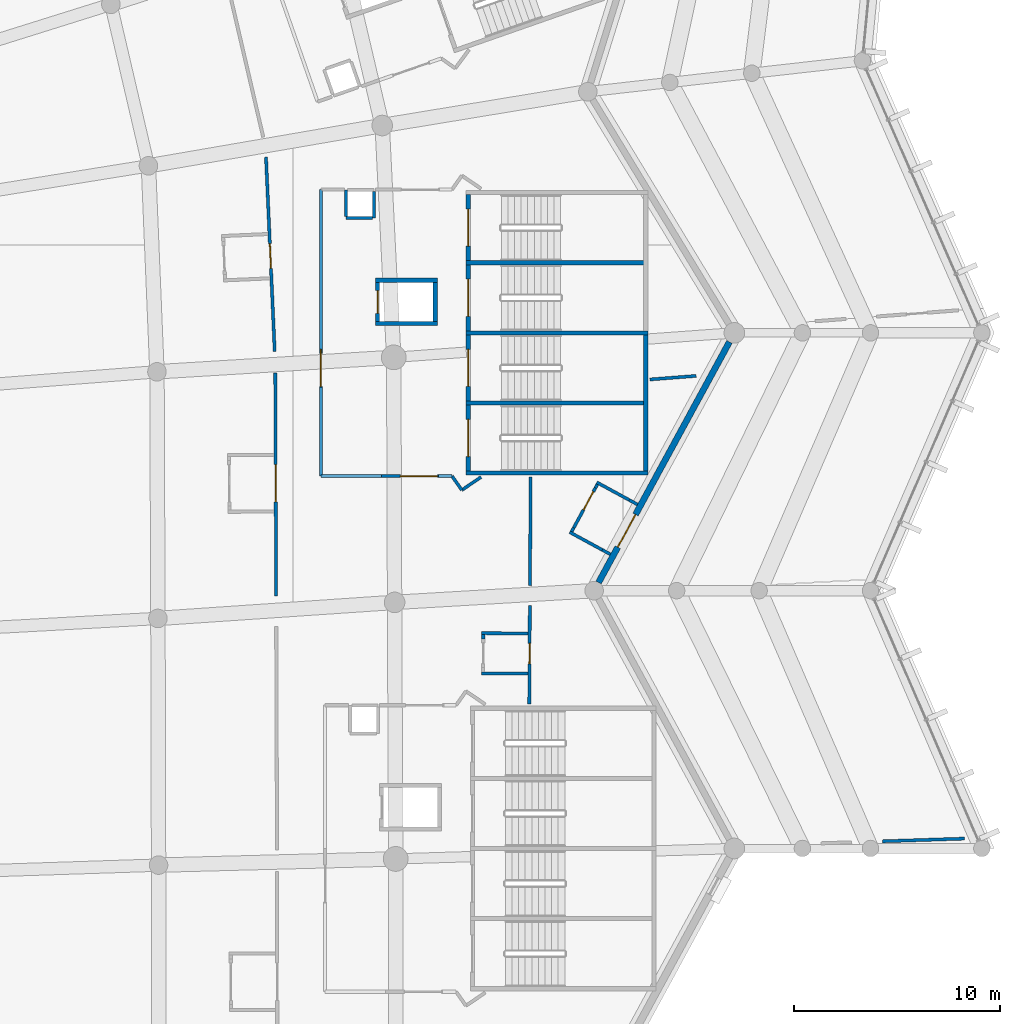
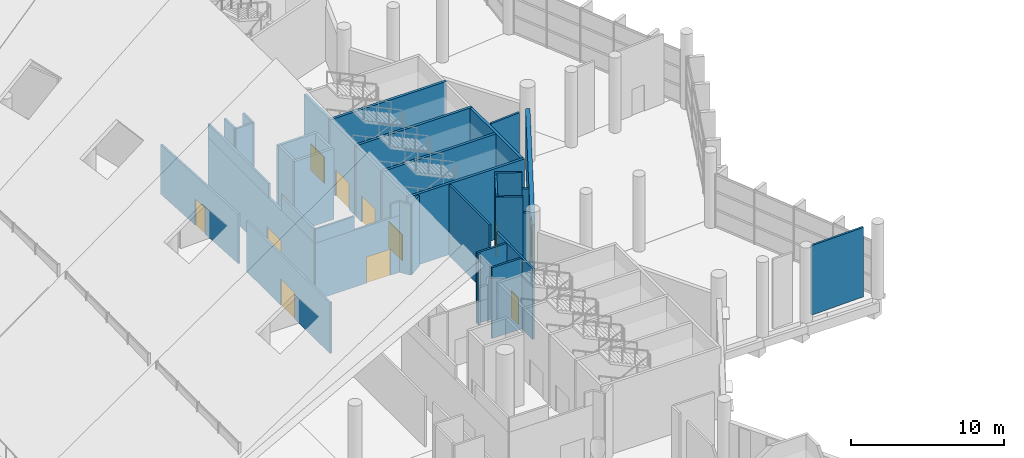
# One storey, part 171 of 249: 41 walls, 12 doors, 12 openings.
"""IFC4 building model written with IfcOpenShell, lengths in metres."""

from ifc_helpers import new_model, si_unit, direction, frame, frame_2d, origin, place, context, subcontext, project, spatial, rectangle, extrude, material, layer, layer_set, type_object, element, fill, save


model = new_model("IFC4")

# Units and contexts
model_context = context("Model", 3, precision=1e-05, world=origin(), true_north=direction((0.0, 1.0)))
body_context = subcontext(model_context, "Body", "Model", "MODEL_VIEW")
ifc_project = project(units=[si_unit("LENGTHUNIT", "METRE"), si_unit("AREAUNIT", "SQUARE_METRE"), si_unit("VOLUMEUNIT", "CUBIC_METRE"), si_unit("PLANEANGLEUNIT", "RADIAN"), si_unit("MASSUNIT", "GRAM", prefix="KILO")], contexts=[model_context])

# Site, building, storey
site_placement = place(None, origin())
site = spatial("IfcSite", under=ifc_project, at=site_placement, CompositionType="ELEMENT")
building_placement = place(site_placement, origin())
building = spatial("IfcBuilding", under=site, at=building_placement, Name="Meseta Stadium", CompositionType="ELEMENT")
storey_placement = place(building_placement, frame((0.0, 0.0, 12.0)))
storey = spatial("IfcBuildingStorey", under=building, at=storey_placement, Name="L02", CompositionType="ELEMENT", Elevation=12.0)

# Walls
ifc_material_1 = material(Name="Concrete C40/50", Category="concrete")
ifc_layer_1 = layer(ifc_material_1, 0.199951171875)
ifc_layer_set_1 = layer_set([ifc_layer_1], Name="Core divider wall 200")
wall_type_1 = type_object("IfcWallType", Name="Core divider wall 200", PredefinedType="SHEAR", material=ifc_layer_set_1)
for number, where, z_axis, x_axis, name in (
    (1, (97.199951171875, 40.35009765625, 0.0), (0.0, 0.0, 1.0), (-1.0, 0.0, 0.0), "Core 05 L02 stair A divider wall"),
    (2, (97.199951171875, 47.14990234375, 0.0), (0.0, 0.0, 1.0), (-1.0, 0.0, 0.0), "Core 05 L02 stair B divider wall"),
):
    element("IfcWall", number, at=place(storey_placement, frame(where, z_axis=z_axis, x_axis=x_axis)), inside=storey, type_object=wall_type_1, Name=name, PredefinedType="SHEAR", context=body_context, shape_type="SweptSolid", body=[
        extrude(rectangle(XDim=8.800048828125, YDim=0.199951171875, at=frame_2d((4.39990234375, 0.0))), origin(), (0.0, 0.0, 1.0), 5.64990234375),
    ])
ifc_material_2 = material(Name="Concrete C40/50", Category="concrete")
ifc_layer_2 = layer(ifc_material_2, 0.199951171875)
ifc_layer_set_2 = layer_set([ifc_layer_2], Name="Core shaft wall 200")
wall_type_2 = type_object("IfcWallType", Name="Core shaft wall 200", PredefinedType="SHEAR", material=ifc_layer_set_2)
for number, where, z_axis, x_axis, name in (
    (3, (97.199951171875, 36.949951171875, 0.0), (0.0, 0.0, 1.0), (-1.0, 0.0, 0.0), "Core 05 L02 stair wall A-side"),
    (4, (97.199951171875, 43.75, 0.0), (0.0, 0.0, 1.0), (-1.0, 0.0, 0.0), "Core 05 L02 stair wall shared"),
):
    element("IfcWall", number, at=place(storey_placement, frame(where, z_axis=z_axis, x_axis=x_axis)), inside=storey, type_object=wall_type_2, Name=name, PredefinedType="SHEAR", context=body_context, shape_type="SweptSolid", body=[
        extrude(rectangle(XDim=8.800048828125, YDim=0.199951171875, at=frame_2d((4.39990234375, 0.0))), origin(), (0.0, 0.0, 1.0), 5.64990234375),
    ])
wall_1_placement = place(storey_placement, frame((97.10009765625, 37.050048828125, 0.0), z_axis=(0.0, 0.0, 1.0), x_axis=(0.0, 1.0, 0.0)))
element("IfcWall", 5, at=wall_1_placement, inside=storey, type_object=wall_type_2, Name="Core 05 L02 stair A outer end wall", PredefinedType="SHEAR", context=body_context, shape_type="SweptSolid", body=[
    extrude(rectangle(XDim=6.599853515625, YDim=0.199951171875, at=frame_2d((3.2998046875, 0.0))), origin(), (0.0, 0.0, 1.0), 5.64990234375),
])

# Wall, opening, door
wall_2_placement = place(storey_placement, frame((88.5, 37.050048828125, 0.0), z_axis=(0.0, 0.0, 1.0), x_axis=(0.0, 1.0, 0.0)))
wall_2 = element("IfcWall", 6, at=wall_2_placement, inside=storey, type_object=wall_type_2, Name="Core 05 L02 stair A1 inner end wall", PredefinedType="SHEAR", context=body_context, shape_type="SweptSolid", body=[
    extrude(rectangle(XDim=3.199951171875, YDim=0.199951171875, at=frame_2d((1.60009765625, 0.0))), origin(), (0.0, 0.0, 1.0), 5.64990234375),
])
opening_1_placement = place(wall_2_placement, frame((0.699951171875, 0.0, 0.0)))
opening_1 = element("IfcOpeningElement", 7, at=opening_1_placement, cuts=wall_2, Name="Opening D1237", PredefinedType="OPENING", context=body_context, shape_type="SweptSolid", body=[
    extrude(rectangle(XDim=1.800048828125, YDim=2.10009765625, at=frame_2d((0.89990234375, 1.050048828125))), frame((0.0, 0.10986328125, 0.0), z_axis=(0.0, -1.0, 0.0), x_axis=(1.0, 0.0, 0.0)), (0.0, 0.0, 1.0), 0.219970703125),
])
ifc_material_3 = material(Name="Steel", Category="steel")
door_type_1 = type_object("IfcDoorType", Name="Stair door 1800x2100", OperationType="DOUBLE_DOOR_SINGLE_SWING", PredefinedType="DOOR", material=ifc_material_3)
door_1_placement = place(opening_1_placement, origin())
door_1 = element("IfcDoor", 8, at=door_1_placement, inside=storey, type_object=door_type_1, Name="Stair A1 door 05 L02", OperationType="DOUBLE_DOOR_SINGLE_SWING", OverallHeight=2.10009765625, OverallWidth=1.800048828125, PredefinedType="DOOR", context=body_context, shape_type="SweptSolid", body=[
    extrude(rectangle(XDim=1.800048828125, YDim=2.10009765625, at=frame_2d((0.89990234375, 1.050048828125))), frame((0.0, 0.02490234375, 0.0), z_axis=(0.0, -1.0, 0.0), x_axis=(1.0, 0.0, 0.0)), (0.0, 0.0, 1.0), 0.050048828125),
])
fill(opening_1, door_1)

wall_3_placement = place(storey_placement, frame((88.5, 40.449951171875, 0.0), z_axis=(0.0, 0.0, 1.0), x_axis=(0.0, 1.0, 0.0)))
wall_3 = element("IfcWall", 9, at=wall_3_placement, inside=storey, type_object=wall_type_2, Name="Core 05 L02 stair A2 inner end wall", PredefinedType="SHEAR", context=body_context, shape_type="SweptSolid", body=[
    extrude(rectangle(XDim=3.199951171875, YDim=0.199951171875, at=frame_2d((1.60009765625, 0.0))), origin(), (0.0, 0.0, 1.0), 5.64990234375),
])
opening_2_placement = place(wall_3_placement, frame((0.699951171875, 0.0, 0.0)))
opening_2 = element("IfcOpeningElement", 10, at=opening_2_placement, cuts=wall_3, Name="Opening D1238", PredefinedType="OPENING", context=body_context, shape_type="SweptSolid", body=[
    extrude(rectangle(XDim=1.800048828125, YDim=2.10009765625, at=frame_2d((0.89990234375, 1.050048828125))), frame((0.0, 0.10986328125, 0.0), z_axis=(0.0, -1.0, 0.0), x_axis=(1.0, 0.0, 0.0)), (0.0, 0.0, 1.0), 0.219970703125),
])
door_2_placement = place(opening_2_placement, origin())
door_2 = element("IfcDoor", 11, at=door_2_placement, inside=storey, type_object=door_type_1, Name="Stair A2 door 05 L02", OperationType="DOUBLE_DOOR_SINGLE_SWING", OverallHeight=2.10009765625, OverallWidth=1.800048828125, PredefinedType="DOOR", context=body_context, shape_type="SweptSolid", body=[
    extrude(rectangle(XDim=1.800048828125, YDim=2.10009765625, at=frame_2d((0.89990234375, 1.050048828125))), frame((0.0, 0.02490234375, 0.0), z_axis=(0.0, -1.0, 0.0), x_axis=(1.0, 0.0, 0.0)), (0.0, 0.0, 1.0), 0.050048828125),
])
fill(opening_2, door_2)

wall_4_placement = place(storey_placement, frame((88.5, 43.85009765625, 0.0), z_axis=(0.0, 0.0, 1.0), x_axis=(0.0, 1.0, 0.0)))
wall_4 = element("IfcWall", 12, at=wall_4_placement, inside=storey, type_object=wall_type_2, Name="Core 05 L02 stair B1 inner end wall", PredefinedType="SHEAR", context=body_context, shape_type="SweptSolid", body=[
    extrude(rectangle(XDim=3.199951171875, YDim=0.199951171875, at=frame_2d((1.60009765625, 0.0))), origin(), (0.0, 0.0, 1.0), 5.64990234375),
])
opening_3_placement = place(wall_4_placement, frame((0.699951171875, 0.0, 0.0)))
opening_3 = element("IfcOpeningElement", 13, at=opening_3_placement, cuts=wall_4, Name="Opening D1239", PredefinedType="OPENING", context=body_context, shape_type="SweptSolid", body=[
    extrude(rectangle(XDim=1.800048828125, YDim=2.10009765625, at=frame_2d((0.89990234375, 1.050048828125))), frame((0.0, 0.10986328125, 0.0), z_axis=(0.0, -1.0, 0.0), x_axis=(1.0, 0.0, 0.0)), (0.0, 0.0, 1.0), 0.219970703125),
])
door_3_placement = place(opening_3_placement, origin())
door_3 = element("IfcDoor", 14, at=door_3_placement, inside=storey, type_object=door_type_1, Name="Stair B1 door 05 L02", OperationType="DOUBLE_DOOR_SINGLE_SWING", OverallHeight=2.10009765625, OverallWidth=1.800048828125, PredefinedType="DOOR", context=body_context, shape_type="SweptSolid", body=[
    extrude(rectangle(XDim=1.800048828125, YDim=2.10009765625, at=frame_2d((0.89990234375, 1.050048828125))), frame((0.0, 0.02490234375, 0.0), z_axis=(0.0, -1.0, 0.0), x_axis=(1.0, 0.0, 0.0)), (0.0, 0.0, 1.0), 0.050048828125),
])
fill(opening_3, door_3)

wall_5_placement = place(storey_placement, frame((88.5, 47.25, 0.0), z_axis=(0.0, 0.0, 1.0), x_axis=(0.0, 1.0, 0.0)))
wall_5 = element("IfcWall", 15, at=wall_5_placement, inside=storey, type_object=wall_type_2, Name="Core 05 L02 stair B2 inner end wall", PredefinedType="SHEAR", context=body_context, shape_type="SweptSolid", body=[
    extrude(rectangle(XDim=3.199951171875, YDim=0.199951171875, at=frame_2d((1.60009765625, 0.0))), origin(), (0.0, 0.0, 1.0), 5.64990234375),
])
opening_4_placement = place(wall_5_placement, frame((0.699951171875, 0.0, 0.0)))
opening_4 = element("IfcOpeningElement", 16, at=opening_4_placement, cuts=wall_5, Name="Opening D1240", PredefinedType="OPENING", context=body_context, shape_type="SweptSolid", body=[
    extrude(rectangle(XDim=1.800048828125, YDim=2.10009765625, at=frame_2d((0.89990234375, 1.050048828125))), frame((0.0, 0.10986328125, 0.0), z_axis=(0.0, -1.0, 0.0), x_axis=(1.0, 0.0, 0.0)), (0.0, 0.0, 1.0), 0.219970703125),
])
door_4_placement = place(opening_4_placement, origin())
door_4 = element("IfcDoor", 17, at=door_4_placement, inside=storey, type_object=door_type_1, Name="Stair B2 door 05 L02", OperationType="DOUBLE_DOOR_SINGLE_SWING", OverallHeight=2.10009765625, OverallWidth=1.800048828125, PredefinedType="DOOR", context=body_context, shape_type="SweptSolid", body=[
    extrude(rectangle(XDim=1.800048828125, YDim=2.10009765625, at=frame_2d((0.89990234375, 1.050048828125))), frame((0.0, 0.02490234375, 0.0), z_axis=(0.0, -1.0, 0.0), x_axis=(1.0, 0.0, 0.0)), (0.0, 0.0, 1.0), 0.050048828125),
])
fill(opening_4, door_4)

# Walls
for number, where, z_axis, x_axis, name in (
    (18, (87.0, 44.199951171875, 0.0), (0.0, 0.0, 1.0), (-1.0, 0.0, 0.0), "Core 05 L02 lift shaft wall left"),
    (19, (87.0, 46.300048828125, 0.0), (0.0, 0.0, 1.0), (-1.0, 0.0, 0.0), "Core 05 L02 lift shaft wall right"),
):
    element("IfcWall", number, at=place(storey_placement, frame(where, z_axis=z_axis, x_axis=x_axis)), inside=storey, type_object=wall_type_2, Name=name, PredefinedType="SHEAR", context=body_context, shape_type="SweptSolid", body=[
        extrude(rectangle(XDim=3.0, YDim=0.199951171875, at=frame_2d((1.5, 0.0))), origin(), (0.0, 0.0, 1.0), 5.64990234375),
    ])
wall_6_placement = place(storey_placement, frame((86.89990234375, 44.300048828125, 0.0), z_axis=(0.0, 0.0, 1.0), x_axis=(0.0, 1.0, 0.0)))
element("IfcWall", 20, at=wall_6_placement, inside=storey, type_object=wall_type_2, Name="Core 05 L02 lift shaft back wall", PredefinedType="SHEAR", context=body_context, shape_type="SweptSolid", body=[
    extrude(rectangle(XDim=1.89990234375, YDim=0.199951171875, at=frame_2d((0.949951171875, 0.0))), origin(), (0.0, 0.0, 1.0), 5.64990234375),
])

# Wall, opening, door
wall_7_placement = place(storey_placement, frame((84.10009765625, 44.300048828125, 0.0), z_axis=(0.0, 0.0, 1.0), x_axis=(0.0, 1.0, 0.0)))
wall_7 = element("IfcWall", 21, at=wall_7_placement, inside=storey, type_object=wall_type_2, Name="Core 05 L02 lift shaft front wall", PredefinedType="SHEAR", context=body_context, shape_type="SweptSolid", body=[
    extrude(rectangle(XDim=1.89990234375, YDim=0.199951171875, at=frame_2d((0.949951171875, 0.0))), origin(), (0.0, 0.0, 1.0), 5.64990234375),
])
opening_5_placement = place(wall_7_placement, frame((0.39990234375, 0.0, 0.0)))
opening_5 = element("IfcOpeningElement", 22, at=opening_5_placement, cuts=wall_7, Name="Opening LD28", PredefinedType="OPENING", context=body_context, shape_type="SweptSolid", body=[
    extrude(rectangle(XDim=1.10009765625, YDim=2.10009765625, at=frame_2d((0.550048828125, 1.050048828125))), frame((0.0, 0.10986328125, 0.0), z_axis=(0.0, -1.0, 0.0), x_axis=(1.0, 0.0, 0.0)), (0.0, 0.0, 1.0), 0.219970703125),
])
ifc_material_4 = material(Name="Steel", Category="steel")
door_type_2 = type_object("IfcDoorType", Name="Lift landing door 1100x2100", OperationType="SLIDING_TO_LEFT", PredefinedType="DOOR", material=ifc_material_4)
door_5_placement = place(opening_5_placement, origin())
door_5 = element("IfcDoor", 23, at=door_5_placement, inside=storey, type_object=door_type_2, Name="Lift landing door LD28", OperationType="SLIDING_TO_RIGHT", OverallHeight=2.10009765625, OverallWidth=1.10009765625, PredefinedType="DOOR", context=body_context, shape_type="SweptSolid", body=[
    extrude(rectangle(XDim=1.10009765625, YDim=2.10009765625, at=frame_2d((0.550048828125, 1.050048828125))), frame((0.0, 0.02490234375, 0.0), z_axis=(0.0, -1.0, 0.0), x_axis=(1.0, 0.0, 0.0)), (0.0, 0.0, 1.0), 0.050048828125),
])
fill(opening_5, door_5)

ifc_material_5 = material(Name="Masonry blockwork", Category="masonry")
ifc_layer_3 = layer(ifc_material_5, 0.14990234375)
ifc_layer_set_3 = layer_set([ifc_layer_3], Name="Partition 150")
wall_type_3 = type_object("IfcWallType", Name="Partition 150", PredefinedType="PARTITIONING", material=ifc_layer_set_3)
wall_8_placement = place(storey_placement, frame((79.139892578125, 41.81005859375, 0.0), z_axis=(0.0, 0.0, 1.0), x_axis=(0.003787424647, -0.999992827682, 0.0)))
wall_8 = element("IfcWall", 24, at=wall_8_placement, inside=storey, type_object=wall_type_3, Name="Partition L02 L02-cell03-0-0", PredefinedType="PARTITIONING", context=body_context, shape_type="SweptSolid", body=[
    extrude(rectangle(XDim=10.829345703125, YDim=0.14990234375, at=frame_2d((5.41455078125, 0.0))), origin(), (0.0, 0.0, 1.0), 4.04833984375),
])
opening_6_placement = place(wall_8_placement, frame((4.449951171875, 0.0, 0.0)))
opening_6 = element("IfcOpeningElement", 25, at=opening_6_placement, cuts=wall_8, Name="Opening D1203", PredefinedType="OPENING", context=body_context, shape_type="SweptSolid", body=[
    extrude(rectangle(XDim=1.800048828125, YDim=2.10009765625, at=frame_2d((0.89990234375, 1.050048828125))), frame((0.0, 0.0849609375, 0.0), z_axis=(0.0, -1.0, 0.0), x_axis=(1.0, 0.0, 0.0)), (0.0, 0.0, 1.0), 0.169921875),
])
ifc_material_6 = material(Name="Steel", Category="steel")
door_type_3 = type_object("IfcDoorType", Name="Fire double door 1800x2100 EI2 60", OperationType="DOUBLE_DOOR_SINGLE_SWING", PredefinedType="DOOR", material=ifc_material_6)
door_6_placement = place(opening_6_placement, origin())
door_6 = element("IfcDoor", 26, at=door_6_placement, inside=storey, type_object=door_type_3, Name="Room door L02 L02-cell03-0-0", OperationType="DOUBLE_DOOR_SINGLE_SWING", OverallHeight=2.10009765625, OverallWidth=1.800048828125, PredefinedType="DOOR", context=body_context, shape_type="SweptSolid", body=[
    extrude(rectangle(XDim=1.800048828125, YDim=2.10009765625, at=frame_2d((0.89990234375, 1.050048828125))), frame((0.0, 0.02490234375, 0.0), z_axis=(0.0, -1.0, 0.0), x_axis=(1.0, 0.0, 0.0)), (0.0, 0.0, 1.0), 0.050048828125),
])
fill(opening_6, door_6)

wall_9_placement = place(storey_placement, frame((91.454833984375, 25.75, 0.0), z_axis=(0.0, 0.0, 1.0), x_axis=(0.006125459352, 0.999981239198, 0.0)))
wall_9 = element("IfcWall", 27, at=wall_9_placement, inside=storey, type_object=wall_type_3, Name="Partition L02 L02-cell03-2-0", PredefinedType="PARTITIONING", context=body_context, shape_type="SweptSolid", body=[
    extrude(rectangle(XDim=4.78271484375, YDim=0.14990234375, at=frame_2d((2.391357421875, 0.0))), origin(), (0.0, 0.0, 1.0), 5.64990234375),
])
opening_7_placement = place(wall_9_placement, frame((1.949951171875, 0.0, 0.0)))
opening_7 = element("IfcOpeningElement", 28, at=opening_7_placement, cuts=wall_9, Name="Opening D1255", PredefinedType="OPENING", context=body_context, shape_type="SweptSolid", body=[
    extrude(rectangle(XDim=1.0, YDim=2.10009765625, at=frame_2d((0.5, 1.050048828125))), frame((0.0, 0.0849609375, 0.0), z_axis=(0.0, -1.0, 0.0), x_axis=(1.0, 0.0, 0.0)), (0.0, 0.0, 1.0), 0.169921875),
])
ifc_material_7 = material(Name="Steel", Category="steel")
door_type_4 = type_object("IfcDoorType", Name="Fire door 1000x2100 EI2 120", OperationType="NOTDEFINED", PredefinedType="DOOR", material=ifc_material_7)
door_7_placement = place(opening_7_placement, origin())
door_7 = element("IfcDoor", 29, at=door_7_placement, inside=storey, type_object=door_type_4, Name="Room door L02 L02-cell03-2-0", OperationType="SINGLE_SWING_RIGHT", OverallHeight=2.10009765625, OverallWidth=1.0, PredefinedType="DOOR", context=body_context, shape_type="SweptSolid", body=[
    extrude(rectangle(XDim=1.0, YDim=2.10009765625, at=frame_2d((0.5, 1.050048828125))), frame((0.0, 0.02490234375, 0.0), z_axis=(0.0, -1.0, 0.0), x_axis=(1.0, 0.0, 0.0)), (0.0, 0.0, 1.0), 0.050048828125),
])
fill(opening_7, door_7)

# Walls
wall_10_placement = place(storey_placement, frame((91.489990234375, 31.489013671875, 0.0), z_axis=(0.0, 0.0, 1.0), x_axis=(0.006125459352, 0.999981239198, 0.0)))
element("IfcWall", 30, at=wall_10_placement, inside=storey, type_object=wall_type_3, Name="Partition L02 L02-cell03-2-0", PredefinedType="PARTITIONING", context=body_context, shape_type="SweptSolid", body=[
    extrude(rectangle(XDim=5.260986328125, YDim=0.14990234375, at=frame_2d((2.63037109375, 0.0))), origin(), (0.0, 0.0, 1.0), 5.64990234375),
])
wall_11_placement = place(storey_placement, frame((97.300048828125, 41.48974609375, 0.0), z_axis=(0.0, 0.0, 1.0), x_axis=(0.99706720675, 0.076530942913, 0.0)))
element("IfcWall", 31, at=wall_11_placement, inside=storey, type_object=wall_type_3, Name="Partition L02 L02-cell03-2-0", PredefinedType="PARTITIONING", context=body_context, shape_type="SweptSolid", body=[
    extrude(rectangle(XDim=2.25537109375, YDim=0.14990234375, at=frame_2d((1.127685546875, 0.0))), origin(), (0.0, 0.0, 1.0), 5.64990234375),
])

# Wall, opening, door
wall_12_placement = place(storey_placement, frame((78.69140625, 52.265869140625, 0.0), z_axis=(0.0, 0.0, 1.0), x_axis=(0.044749816806, -0.998998225172, 0.0)))
wall_12 = element("IfcWall", 32, at=wall_12_placement, inside=storey, type_object=wall_type_3, Name="Partition L02 L02-cell04-0-0", PredefinedType="PARTITIONING", context=body_context, shape_type="SweptSolid", body=[
    extrude(rectangle(XDim=9.427490234375, YDim=0.14990234375, at=frame_2d((4.7138671875, 0.0))), origin(), (0.0, 0.0, 1.0), 3.9619140625),
])
opening_8_placement = place(wall_12_placement, frame((4.199951171875, 0.0, 0.0)))
opening_8 = element("IfcOpeningElement", 33, at=opening_8_placement, cuts=wall_12, Name="Opening D1202", PredefinedType="OPENING", context=body_context, shape_type="SweptSolid", body=[
    extrude(rectangle(XDim=1.199951171875, YDim=2.10009765625, at=frame_2d((0.60009765625, 1.050048828125))), frame((0.0, 0.0849609375, 0.0), z_axis=(0.0, -1.0, 0.0), x_axis=(1.0, 0.0, 0.0)), (0.0, 0.0, 1.0), 0.169921875),
])
ifc_material_8 = material(Name="Steel", Category="steel")
door_type_5 = type_object("IfcDoorType", Name="Fire door 1200x2100 EI2 60", OperationType="NOTDEFINED", PredefinedType="DOOR", material=ifc_material_8)
door_8_placement = place(opening_8_placement, origin())
door_8 = element("IfcDoor", 34, at=door_8_placement, inside=storey, type_object=door_type_5, Name="Room door L02 L02-cell04-0-0", OperationType="SINGLE_SWING_RIGHT", OverallHeight=2.10009765625, OverallWidth=1.199951171875, PredefinedType="DOOR", context=body_context, shape_type="SweptSolid", body=[
    extrude(rectangle(XDim=1.199951171875, YDim=2.10009765625, at=frame_2d((0.60009765625, 1.050048828125))), frame((0.0, 0.02490234375, 0.0), z_axis=(0.0, -1.0, 0.0), x_axis=(1.0, 0.0, 0.0)), (0.0, 0.0, 1.0), 0.050048828125),
])
fill(opening_8, door_8)

# Walls
wall_13_placement = place(storey_placement, frame((112.547607421875, 19.228515625, 0.0), z_axis=(0.0, 0.0, 1.0), x_axis=(-0.99945927395, -0.032880993209, 0.0)))
element("IfcWall", 35, at=wall_13_placement, inside=storey, type_object=wall_type_3, Name="Partition L02 L02-ring03-0", PredefinedType="PARTITIONING", context=body_context, shape_type="SweptSolid", body=[
    extrude(rectangle(XDim=3.972412109375, YDim=0.14990234375, at=frame_2d((1.986328125, 0.0))), origin(), (0.0, 0.0, 1.0), 5.550048828125),
])
for number, where, z_axis, x_axis, name in (
    (36, (83.925048828125, 49.324951171875, 0.0), (0.0, 0.0, 1.0), (0.0, 1.0, 0.0), "Pressurisation shaft wall L02 core 05"),
    (37, (82.574951171875, 50.675048828125, 0.0), (0.0, 0.0, 1.0), (0.0, -1.0, 0.0), "Pressurisation shaft wall L02 core 05"),
    (38, (82.574951171875, 49.324951171875, 0.0), (0.0, 0.0, 1.0), (1.0, 0.0, 0.0), "Pressurisation shaft wall L02 core 05"),
):
    element("IfcWall", number, at=place(storey_placement, frame(where, z_axis=z_axis, x_axis=x_axis)), inside=storey, type_object=wall_type_3, Name=name, PredefinedType="PARTITIONING", context=body_context, shape_type="SweptSolid", body=[
        extrude(rectangle(XDim=1.275146484375, YDim=0.14990234375, at=frame_2d((0.6376953125, 0.0))), origin(), (0.0, 0.0, 1.0), 5.64990234375),
    ])

# Wall, opening, door
wall_14_placement = place(storey_placement, frame((81.35498046875, 50.695068359375, 0.0), z_axis=(0.0, 0.0, 1.0), x_axis=(0.0, -1.0, 0.0)))
wall_14 = element("IfcWall", 39, at=wall_14_placement, inside=storey, type_object=wall_type_3, Name="Stair vestibule wall L02 core 05", PredefinedType="PARTITIONING", context=body_context, shape_type="SweptSolid", body=[
    extrude(rectangle(XDim=13.89013671875, YDim=0.14990234375, at=frame_2d((6.945068359375, 0.0))), origin(), (0.0, 0.0, 1.0), 4.550048828125),
])
opening_9_placement = place(wall_14_placement, frame((7.75, 0.0, 0.0)))
opening_9 = element("IfcOpeningElement", 40, at=opening_9_placement, cuts=wall_14, Name="Opening D1211", PredefinedType="OPENING", context=body_context, shape_type="SweptSolid", body=[
    extrude(rectangle(XDim=1.800048828125, YDim=2.10009765625, at=frame_2d((0.89990234375, 1.050048828125))), frame((0.0, 0.0849609375, 0.0), z_axis=(0.0, -1.0, 0.0), x_axis=(1.0, 0.0, 0.0)), (0.0, 0.0, 1.0), 0.169921875),
])
door_9_placement = place(opening_9_placement, origin())
door_9 = element("IfcDoor", 41, at=door_9_placement, inside=storey, type_object=door_type_3, Name="Stair vestibule door L02 core 05", OperationType="DOUBLE_DOOR_SINGLE_SWING", OverallHeight=2.10009765625, OverallWidth=1.800048828125, PredefinedType="DOOR", context=body_context, shape_type="SweptSolid", body=[
    extrude(rectangle(XDim=1.800048828125, YDim=2.10009765625, at=frame_2d((0.89990234375, 1.050048828125))), frame((0.0, 0.02490234375, 0.0), z_axis=(0.0, -1.0, 0.0), x_axis=(1.0, 0.0, 0.0)), (0.0, 0.0, 1.0), 0.050048828125),
])
fill(opening_9, door_9)

# Walls
wall_15_placement = place(storey_placement, frame((81.35498046875, 50.695068359375, 4.550048828125), z_axis=(0.0, 0.0, 1.0), x_axis=(0.0, -1.0, 0.0)))
element("IfcWall", 42, at=wall_15_placement, inside=storey, type_object=wall_type_3, Name="Stair vestibule wall L02 core 05", PredefinedType="PARTITIONING", context=body_context, shape_type="SweptSolid", body=[
    extrude(rectangle(XDim=7.937255859375, YDim=0.14990234375, at=frame_2d((3.96875, 0.0))), origin(), (0.0, 0.0, 1.0), 1.099853515625),
])
wall_16_placement = place(storey_placement, frame((81.35498046875, 41.094970703125, 4.550048828125), z_axis=(0.0, 0.0, 1.0), x_axis=(0.0, -1.0, 0.0)))
element("IfcWall", 43, at=wall_16_placement, inside=storey, type_object=wall_type_3, Name="Stair vestibule wall L02 core 05", PredefinedType="PARTITIONING", context=body_context, shape_type="SweptSolid", body=[
    extrude(rectangle(XDim=4.2900390625, YDim=0.14990234375, at=frame_2d((2.14501953125, 0.0))), origin(), (0.0, 0.0, 1.0), 1.099853515625),
])

# Wall, opening, door
wall_17_placement = place(storey_placement, frame((81.35498046875, 36.804931640625, 0.0), z_axis=(0.0, 0.0, 1.0), x_axis=(1.0, 0.0, 0.0)))
wall_17 = element("IfcWall", 44, at=wall_17_placement, inside=storey, type_object=wall_type_3, Name="Stair vestibule wall L02 core 05", PredefinedType="PARTITIONING", context=body_context, shape_type="SweptSolid", body=[
    extrude(rectangle(XDim=6.354248046875, YDim=0.14990234375, at=frame_2d((3.17724609375, 0.0))), origin(), (0.0, 0.0, 1.0), 4.550048828125),
])
opening_10_placement = place(wall_17_placement, frame((3.85009765625, 0.0, 0.0)))
opening_10 = element("IfcOpeningElement", 45, at=opening_10_placement, cuts=wall_17, Name="Opening D1222", PredefinedType="OPENING", context=body_context, shape_type="SweptSolid", body=[
    extrude(rectangle(XDim=1.800048828125, YDim=2.10009765625, at=frame_2d((0.89990234375, 1.050048828125))), frame((0.0, 0.0849609375, 0.0), z_axis=(0.0, -1.0, 0.0), x_axis=(1.0, 0.0, 0.0)), (0.0, 0.0, 1.0), 0.169921875),
])
door_10_placement = place(opening_10_placement, origin())
door_10 = element("IfcDoor", 46, at=door_10_placement, inside=storey, type_object=door_type_3, Name="Stair vestibule door L02 core 05", OperationType="DOUBLE_DOOR_SINGLE_SWING", OverallHeight=2.10009765625, OverallWidth=1.800048828125, PredefinedType="DOOR", context=body_context, shape_type="SweptSolid", body=[
    extrude(rectangle(XDim=1.800048828125, YDim=2.10009765625, at=frame_2d((0.89990234375, 1.050048828125))), frame((0.0, 0.02490234375, 0.0), z_axis=(0.0, -1.0, 0.0), x_axis=(1.0, 0.0, 0.0)), (0.0, 0.0, 1.0), 0.050048828125),
])
fill(opening_10, door_10)

# Walls
wall_18_placement = place(storey_placement, frame((81.35498046875, 36.804931640625, 4.550048828125), z_axis=(0.0, 0.0, 1.0), x_axis=(1.0, 0.0, 0.0)))
element("IfcWall", 47, at=wall_18_placement, inside=storey, type_object=wall_type_3, Name="Stair vestibule wall L02 core 05", PredefinedType="PARTITIONING", context=body_context, shape_type="SweptSolid", body=[
    extrude(rectangle(XDim=2.9326171875, YDim=0.14990234375, at=frame_2d((1.46630859375, 0.0))), origin(), (0.0, 0.0, 1.0), 1.099853515625),
])
wall_19_placement = place(storey_placement, frame((87.054931640625, 36.804931640625, 4.550048828125), z_axis=(0.0, 0.0, 1.0), x_axis=(1.0, 0.0, 0.0)))
element("IfcWall", 48, at=wall_19_placement, inside=storey, type_object=wall_type_3, Name="Stair vestibule wall L02 core 05", PredefinedType="PARTITIONING", context=body_context, shape_type="SweptSolid", body=[
    extrude(rectangle(XDim=0.654296875, YDim=0.14990234375, at=frame_2d((0.3271484375, 0.0))), origin(), (0.0, 0.0, 1.0), 1.099853515625),
])
wall_20_placement = place(storey_placement, frame((87.709228515625, 36.804931640625, 0.0), z_axis=(0.0, 0.0, 1.0), x_axis=(0.575573582652, -0.81774999294, 0.0)))
element("IfcWall", 49, at=wall_20_placement, inside=storey, type_object=wall_type_3, Name="Stair vestibule wall L02 core 05", PredefinedType="PARTITIONING", context=body_context, shape_type="SweptSolid", body=[
    extrude(rectangle(XDim=0.82958984375, YDim=0.14990234375, at=frame_2d((0.414794921875, 0.0))), origin(), (0.0, 0.0, 1.0), 5.64990234375),
])
wall_21_placement = place(storey_placement, frame((88.186767578125, 36.12646484375, 0.0), z_axis=(0.0, 0.0, 1.0), x_axis=(0.827055308354, 0.562120553728, 0.0)))
element("IfcWall", 50, at=wall_21_placement, inside=storey, type_object=wall_type_3, Name="Stair vestibule wall L02 core 05", PredefinedType="PARTITIONING", context=body_context, shape_type="SweptSolid", body=[
    extrude(rectangle(XDim=1.1279296875, YDim=0.14990234375, at=frame_2d((0.56396484375, 0.0))), origin(), (0.0, 0.0, 1.0), 5.64990234375),
])
for number, where, z_axis, x_axis, name in (
    (51, (91.388916015625, 27.225341796875, 0.0), (0.0, 0.0, 1.0), (-0.99998087408, 0.006184777542, 0.0), "Partition L02 L02-cell03-2-0 vestibule"),
    (52, (91.40087890625, 29.17529296875, 0.0), (0.0, 0.0, 1.0), (-0.99998087408, 0.006184777542, 0.0), "Partition L02 L02-cell03-2-0 vestibule"),
):
    element("IfcWall", number, at=place(storey_placement, frame(where, z_axis=z_axis, x_axis=x_axis)), inside=storey, type_object=wall_type_3, Name=name, PredefinedType="PARTITIONING", context=body_context, shape_type="SweptSolid", body=[
        extrude(rectangle(XDim=2.25, YDim=0.14990234375, at=frame_2d((1.125, 0.0))), origin(), (0.0, 0.0, 1.0), 5.64990234375),
    ])
wall_22_placement = place(storey_placement, frame((89.22412109375, 28.913818359375, 0.0), z_axis=(0.0, 0.0, 1.0), x_axis=(0.007325810739, 0.999973165888, 0.0)))
element("IfcWall", 53, at=wall_22_placement, inside=storey, type_object=wall_type_3, Name="Partition L02 L02-cell03-2-0 vestibule", PredefinedType="PARTITIONING", context=body_context, shape_type="SweptSolid", body=[
    extrude(rectangle(XDim=0.199951171875, YDim=0.14990234375, at=frame_2d((0.10009765625, 0.0))), origin(), (0.0, 0.0, 1.0), 5.64990234375),
])
wall_23_placement = place(storey_placement, frame((96.7021484375, 35.42822265625, 0.0), z_axis=(0.0, 0.0, 1.0), x_axis=(-0.878372019733, 0.477977609256, 0.0)))
element("IfcWall", 54, at=wall_23_placement, inside=storey, type_object=wall_type_3, Name="Partition L02 L02-cell03-2-0 vestibule", PredefinedType="PARTITIONING", context=body_context, shape_type="SweptSolid", body=[
    extrude(rectangle(XDim=0.449951171875, YDim=0.14990234375, at=frame_2d((0.22509765625, 0.0))), origin(), (0.0, 0.0, 1.0), 4.35009765625),
])
wall_24_placement = place(storey_placement, frame((96.306884765625, 35.643310546875, 0.0), z_axis=(0.0, 0.0, 1.0), x_axis=(-0.878428962466, 0.477872951632, 0.0)))
element("IfcWall", 55, at=wall_24_placement, inside=storey, type_object=wall_type_3, Name="Partition L02 L02-cell03-2-0 vestibule", PredefinedType="PARTITIONING", context=body_context, shape_type="SweptSolid", body=[
    extrude(rectangle(XDim=1.7998046875, YDim=0.14990234375, at=frame_2d((0.89990234375, 0.0))), origin(), (0.0, 0.0, 1.0), 5.64990234375),
])
wall_25_placement = place(storey_placement, frame((95.38818359375, 33.0126953125, 0.0), z_axis=(0.0, 0.0, 1.0), x_axis=(-0.878372019733, 0.477977609256, 0.0)))
element("IfcWall", 56, at=wall_25_placement, inside=storey, type_object=wall_type_3, Name="Partition L02 L02-cell03-2-0 vestibule", PredefinedType="PARTITIONING", context=body_context, shape_type="SweptSolid", body=[
    extrude(rectangle(XDim=0.449951171875, YDim=0.14990234375, at=frame_2d((0.22509765625, 0.0))), origin(), (0.0, 0.0, 1.0), 4.35009765625),
])
wall_26_placement = place(storey_placement, frame((94.992919921875, 33.227783203125, 0.0), z_axis=(0.0, 0.0, 1.0), x_axis=(-0.878459932885, 0.477816017223, 0.0)))
element("IfcWall", 57, at=wall_26_placement, inside=storey, type_object=wall_type_3, Name="Partition L02 L02-cell03-2-0 vestibule", PredefinedType="PARTITIONING", context=body_context, shape_type="SweptSolid", body=[
    extrude(rectangle(XDim=1.800048828125, YDim=0.14990234375, at=frame_2d((0.89990234375, 0.0))), origin(), (0.0, 0.0, 1.0), 5.64990234375),
])
wall_27_placement = place(storey_placement, frame((94.755859375, 36.40185546875, 0.0), z_axis=(0.0, 0.0, 1.0), x_axis=(-0.478168266369, -0.878268244352, 0.0)))
element("IfcWall", 58, at=wall_27_placement, inside=storey, type_object=wall_type_3, Name="Partition L02 L02-cell03-2-0 vestibule", PredefinedType="PARTITIONING", context=body_context, shape_type="SweptSolid", body=[
    extrude(rectangle(XDim=0.2001953125, YDim=0.14990234375, at=frame_2d((0.10009765625, 0.0))), origin(), (0.0, 0.0, 1.0), 5.64990234375),
])

# Wall, opening, door
wall_28_placement = place(storey_placement, frame((94.66015625, 36.22607421875, 0.0), z_axis=(0.0, 0.0, 1.0), x_axis=(-0.477887643273, -0.878420969927, 0.0)))
wall_28 = element("IfcWall", 59, at=wall_28_placement, inside=storey, type_object=wall_type_3, Name="Partition L02 L02-cell03-2-0 vestibule", PredefinedType="PARTITIONING", context=body_context, shape_type="SweptSolid", body=[
    extrude(rectangle(XDim=2.19970703125, YDim=0.14990234375, at=frame_2d((1.099853515625, 0.0))), origin(), (0.0, 0.0, 1.0), 5.64990234375),
])
opening_11_placement = place(wall_28_placement, frame((0.199951171875, 0.0, 0.0)))
opening_11 = element("IfcOpeningElement", 60, at=opening_11_placement, cuts=wall_28, Name="Opening D1259", PredefinedType="OPENING", context=body_context, shape_type="SweptSolid", body=[
    extrude(rectangle(XDim=1.0, YDim=2.10009765625, at=frame_2d((0.5, 1.050048828125))), frame((0.0, 0.0849609375, 0.0), z_axis=(0.0, -1.0, 0.0), x_axis=(1.0, 0.0, 0.0)), (0.0, 0.0, 1.0), 0.169921875),
])
ifc_material_9 = material(Name="Steel", Category="steel")
door_type_6 = type_object("IfcDoorType", Name="Fire door 1000x2100 EI2 60", OperationType="NOTDEFINED", PredefinedType="DOOR", material=ifc_material_9)
door_11_placement = place(opening_11_placement, origin())
door_11 = element("IfcDoor", 61, at=door_11_placement, inside=storey, type_object=door_type_6, Name="Vestibule door L02 L02-cell03-2-0", OperationType="SINGLE_SWING_LEFT", OverallHeight=2.10009765625, OverallWidth=1.0, PredefinedType="DOOR", context=body_context, shape_type="SweptSolid", body=[
    extrude(rectangle(XDim=1.0, YDim=2.10009765625, at=frame_2d((0.5, 1.050048828125))), frame((0.0, 0.02490234375, 0.0), z_axis=(0.0, -1.0, 0.0), x_axis=(1.0, 0.0, 0.0)), (0.0, 0.0, 1.0), 0.050048828125),
])
fill(opening_11, door_11)

# Wall
wall_29_placement = place(storey_placement, frame((93.60888671875, 34.293701171875, 0.0), z_axis=(0.0, 0.0, 1.0), x_axis=(-0.477226530971, -0.878780312785, 0.0)))
element("IfcWall", 62, at=wall_29_placement, inside=storey, type_object=wall_type_3, Name="Partition L02 L02-cell03-2-0 vestibule", PredefinedType="PARTITIONING", context=body_context, shape_type="SweptSolid", body=[
    extrude(rectangle(XDim=0.199951171875, YDim=0.14990234375, at=frame_2d((0.10009765625, 0.0))), origin(), (0.0, 0.0, 1.0), 5.64990234375),
])

# Wall, opening, door
ifc_material_10 = material(Name="White precast concrete C40/50", Category="concrete")
ifc_layer_4 = layer(ifc_material_10, 0.300048828125)
ifc_layer_set_4 = layer_set([ifc_layer_4], Name="Pleated panel wall 300 concourse")
wall_type_4 = type_object("IfcWallType", Name="Pleated panel wall 300 concourse", PredefinedType="SOLIDWALL", material=ifc_layer_set_4)
wall_30_placement = place(storey_placement, frame((101.1611328125, 43.31103515625, 0.0), z_axis=(0.0, 0.0, 1.0), x_axis=(-0.477867771117, -0.878431780691, 0.0)))
wall_30 = element("IfcWall", 63, at=wall_30_placement, inside=storey, type_object=wall_type_4, Name="Pleated facade panel L02 F07", PredefinedType="SOLIDWALL", context=body_context, shape_type="SweptSolid", body=[
    extrude(rectangle(XDim=13.2802734375, YDim=0.300048828125, at=frame_2d((6.64013671875, 0.0))), origin(), (0.0, 0.0, 1.0), 4.35009765625),
])
opening_12_placement = place(wall_30_placement, frame((9.530029296875, 0.0, 0.0)))
opening_12 = element("IfcOpeningElement", 64, at=opening_12_placement, cuts=wall_30, Name="Opening D1262", PredefinedType="OPENING", context=body_context, shape_type="SweptSolid", body=[
    extrude(rectangle(XDim=1.800048828125, YDim=2.39990234375, at=frame_2d((0.89990234375, 1.199951171875))), frame((0.0, 0.159912109375, 0.0), z_axis=(0.0, -1.0, 0.0), x_axis=(1.0, 0.0, 0.0)), (0.0, 0.0, 1.0), 0.320068359375),
])
ifc_material_11 = material(Name="Steel", Category="steel")
door_type_7 = type_object("IfcDoorType", Name="Fire double door 1800x2400 EI2 60", OperationType="DOUBLE_DOOR_SINGLE_SWING", PredefinedType="DOOR", material=ifc_material_11)
door_12_placement = place(opening_12_placement, origin())
door_12 = element("IfcDoor", 65, at=door_12_placement, inside=storey, type_object=door_type_7, Name="Concourse door", OperationType="DOUBLE_DOOR_SINGLE_SWING", OverallHeight=2.39990234375, OverallWidth=1.800048828125, PredefinedType="DOOR", context=body_context, shape_type="SweptSolid", body=[
    extrude(rectangle(XDim=1.800048828125, YDim=2.39990234375, at=frame_2d((0.89990234375, 1.199951171875))), frame((0.0, 0.02490234375, 0.0), z_axis=(0.0, -1.0, 0.0), x_axis=(1.0, 0.0, 0.0)), (0.0, 0.0, 1.0), 0.050048828125),
])
fill(opening_12, door_12)

save(model, "model.ifc")
